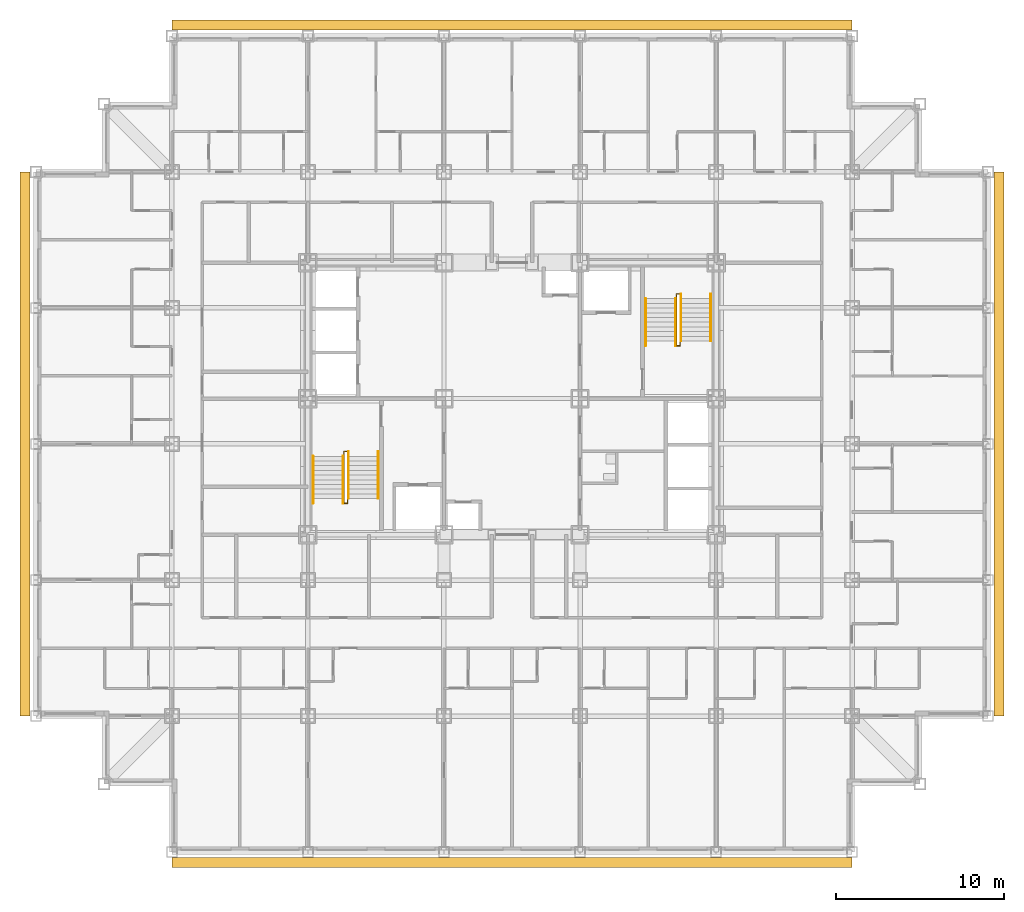
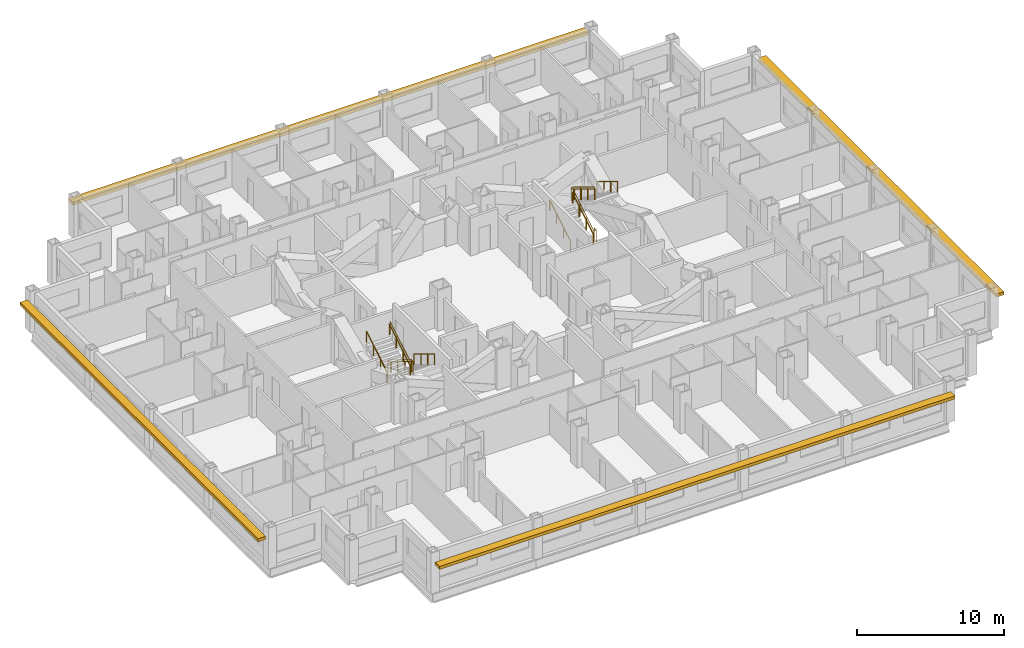
# One storey, part 13 of 14: 10 railings, 4 shading devices.
"""IFC4 building model written with IfcOpenShell, lengths in metres."""

from ifc_helpers import new_model, si_unit, direction, frame, origin, origin_2d, place, context, subcontext, project, spatial, rectangle, circle, extrude, material, type_object, element, save


model = new_model("IFC4")

# Units and contexts
model_context = context("Model", 3, precision=1e-05, world=origin(), true_north=direction((0.0, 1.0)))
body_context = subcontext(model_context, "Body", "Model", "MODEL_VIEW")
ifc_project = project(units=[si_unit("LENGTHUNIT", "METRE"), si_unit("AREAUNIT", "SQUARE_METRE"), si_unit("VOLUMEUNIT", "CUBIC_METRE"), si_unit("PLANEANGLEUNIT", "RADIAN"), si_unit("MASSUNIT", "GRAM", prefix="KILO")], contexts=[model_context])

# Site, building, storey
site_placement = place(None, origin())
site = spatial("IfcSite", under=ifc_project, at=site_placement, CompositionType="ELEMENT")
building_placement = place(site_placement, origin())
building = spatial("IfcBuilding", under=site, at=building_placement, Name="Kopane Lantern Tower", CompositionType="ELEMENT")
storey_placement = place(building_placement, frame((0.0, 0.0, 151.0)))
storey = spatial("IfcBuildingStorey", under=building, at=storey_placement, Name="L39", CompositionType="ELEMENT", Elevation=151.0)

# Railings
ifc_material_1 = material(Name="Steel", Category="steel")
railing_type_1 = type_object("IfcRailingType", Name="STAIR GUARD 1100", PredefinedType="GUARDRAIL", material=ifc_material_1)
railing_1_placement = place(storey_placement, frame((18.35009765625, 28.969970703125, 0.0)))
element("IfcRailing", 1, at=railing_1_placement, inside=storey, type_object=railing_type_1, Name="ST1 well guard L39", PredefinedType="GUARDRAIL", context=body_context, shape_type="SweptSolid", body=[
    extrude(circle(Radius=0.02392578125, at=origin_2d()), frame((0.0, 0.0, 1.076171875), z_axis=(0.0, 1.0, 0.0), x_axis=(-1.0, 0.0, 0.0)), (0.0, 0.0, 1.0), 0.280029296875),
    extrude(circle(Radius=0.02392578125, at=origin_2d()), frame((0.0, 0.280029296875, 1.076171875), z_axis=(1.0, 0.0, 0.0), x_axis=(0.0, 1.0, 0.0)), (0.0, 0.0, 1.0), 0.199951171875),
    extrude(circle(Radius=0.02392578125, at=origin_2d()), frame((0.199951171875, 0.280029296875, 1.076171875), z_axis=(0.0, -0.854798142509, 0.518960630071), x_axis=(1.0, 0.0, 0.0)), (0.0, 0.0, 1.0), 3.275634765625),
    extrude(circle(Radius=0.02392578125, at=origin_2d()), frame((0.199951171875, -2.52001953125, 2.77587890625), z_axis=(0.0, -1.0, 0.0), x_axis=(1.0, 0.0, 0.0)), (0.0, 0.0, 1.0), 0.280029296875),
    extrude(circle(Radius=0.02392578125, at=origin_2d()), frame((0.199951171875, -2.800048828125, 2.77587890625), z_axis=(-1.0, 0.0, 0.0), x_axis=(0.0, -1.0, 0.0)), (0.0, 0.0, 1.0), 0.199951171875),
    extrude(circle(Radius=0.02392578125, at=origin_2d()), frame((0.0, -2.800048828125, 2.77587890625), z_axis=(0.0, 0.854798142509, 0.518960630071), x_axis=(-1.0, 0.0, 0.0)), (0.0, 0.0, 1.0), 3.275634765625),
    extrude(circle(Radius=0.02099609375, at=origin_2d()), origin(), (0.0, 0.0, 1.0), 1.052001953125),
    extrude(circle(Radius=0.02099609375, at=origin_2d()), frame((0.0, 0.280029296875, 0.0)), (0.0, 0.0, 1.0), 1.052001953125),
    extrude(circle(Radius=0.02099609375, at=origin_2d()), frame((0.199951171875, 0.280029296875, 0.0)), (0.0, 0.0, 1.0), 1.052001953125),
    extrude(circle(Radius=0.02099609375, at=origin_2d()), frame((0.199951171875, -0.6533203125, 0.566650390625)), (0.0, 0.0, 1.0), 1.052001953125),
    extrude(circle(Radius=0.02099609375, at=origin_2d()), frame((0.199951171875, -1.586669921875, 1.13330078125)), (0.0, 0.0, 1.0), 1.052001953125),
    extrude(circle(Radius=0.02099609375, at=origin_2d()), frame((0.199951171875, -2.52001953125, 1.699951171875)), (0.0, 0.0, 1.0), 1.052001953125),
    extrude(circle(Radius=0.02099609375, at=origin_2d()), frame((0.199951171875, -2.800048828125, 1.699951171875)), (0.0, 0.0, 1.0), 1.052001953125),
    extrude(circle(Radius=0.02099609375, at=origin_2d()), frame((0.0, -2.800048828125, 1.699951171875)), (0.0, 0.0, 1.0), 1.052001953125),
    extrude(circle(Radius=0.02099609375, at=origin_2d()), frame((0.0, -1.86669921875, 2.2666015625)), (0.0, 0.0, 1.0), 1.052001953125),
    extrude(circle(Radius=0.02099609375, at=origin_2d()), frame((0.0, -0.933349609375, 2.833251953125)), (0.0, 0.0, 1.0), 1.052001953125),
    extrude(circle(Radius=0.02099609375, at=origin_2d()), frame((0.0, 0.0, 3.39990234375)), (0.0, 0.0, 1.0), 1.052001953125),
])
railing_2_placement = place(storey_placement, frame((38.35009765625, 35.830078125, 0.0)))
element("IfcRailing", 2, at=railing_2_placement, inside=storey, type_object=railing_type_1, Name="ST2 well guard L39", PredefinedType="GUARDRAIL", context=body_context, shape_type="SweptSolid", body=[
    extrude(circle(Radius=0.02392578125, at=origin_2d()), frame((0.0, 0.0, 1.076171875), z_axis=(0.0, -1.0, 0.0), x_axis=(1.0, 0.0, 0.0)), (0.0, 0.0, 1.0), 0.280029296875),
    extrude(circle(Radius=0.02392578125, at=origin_2d()), frame((0.0, -0.280029296875, 1.076171875), z_axis=(-1.0, 0.0, 0.0), x_axis=(0.0, -1.0, 0.0)), (0.0, 0.0, 1.0), 0.2001953125),
    extrude(circle(Radius=0.02392578125, at=origin_2d()), frame((-0.2001953125, -0.280029296875, 1.076171875), z_axis=(0.0, 0.854798142509, 0.518960630071), x_axis=(-1.0, 0.0, 0.0)), (0.0, 0.0, 1.0), 3.275634765625),
    extrude(circle(Radius=0.02392578125, at=origin_2d()), frame((-0.2001953125, 2.52001953125, 2.77587890625), z_axis=(0.0, 1.0, 0.0), x_axis=(-1.0, 0.0, 0.0)), (0.0, 0.0, 1.0), 0.27978515625),
    extrude(circle(Radius=0.02392578125, at=origin_2d()), frame((-0.2001953125, 2.7998046875, 2.77587890625), z_axis=(1.0, 0.0, 0.0), x_axis=(0.0, 1.0, 0.0)), (0.0, 0.0, 1.0), 0.2001953125),
    extrude(circle(Radius=0.02392578125, at=origin_2d()), frame((0.0, 2.7998046875, 2.77587890625), z_axis=(0.0, -0.854778067842, 0.518993694313), x_axis=(1.0, 0.0, 0.0)), (0.0, 0.0, 1.0), 3.275390625),
    extrude(circle(Radius=0.02099609375, at=origin_2d()), origin(), (0.0, 0.0, 1.0), 1.052001953125),
    extrude(circle(Radius=0.02099609375, at=origin_2d()), frame((0.0, -0.280029296875, 0.0)), (0.0, 0.0, 1.0), 1.052001953125),
    extrude(circle(Radius=0.02099609375, at=origin_2d()), frame((-0.2001953125, -0.280029296875, 0.0)), (0.0, 0.0, 1.0), 1.052001953125),
    extrude(circle(Radius=0.02099609375, at=origin_2d()), frame((-0.2001953125, 0.6533203125, 0.566650390625)), (0.0, 0.0, 1.0), 1.052001953125),
    extrude(circle(Radius=0.02099609375, at=origin_2d()), frame((-0.2001953125, 1.586669921875, 1.13330078125)), (0.0, 0.0, 1.0), 1.052001953125),
    extrude(circle(Radius=0.02099609375, at=origin_2d()), frame((-0.2001953125, 2.52001953125, 1.699951171875)), (0.0, 0.0, 1.0), 1.052001953125),
    extrude(circle(Radius=0.02099609375, at=origin_2d()), frame((-0.2001953125, 2.7998046875, 1.699951171875)), (0.0, 0.0, 1.0), 1.052001953125),
    extrude(circle(Radius=0.02099609375, at=origin_2d()), frame((0.0, 2.7998046875, 1.699951171875)), (0.0, 0.0, 1.0), 1.052001953125),
    extrude(circle(Radius=0.02099609375, at=origin_2d()), frame((0.0, 1.866455078125, 2.2666015625)), (0.0, 0.0, 1.0), 1.052001953125),
    extrude(circle(Radius=0.02099609375, at=origin_2d()), frame((0.0, 0.933349609375, 2.833251953125)), (0.0, 0.0, 1.0), 1.052001953125),
    extrude(circle(Radius=0.02099609375, at=origin_2d()), frame((0.0, 0.0, 3.39990234375)), (0.0, 0.0, 1.0), 1.052001953125),
])
ifc_material_2 = material(Name="Steel", Category="steel")
railing_type_2 = type_object("IfcRailingType", Name="STAIR HANDRAIL 900", PredefinedType="HANDRAIL", material=ifc_material_2)
for number, where, name in (
    (3, (20.389892578125, 29.25, 0.0), "ST1 handrail L39 flight 1"),
    (4, (18.610107421875, 29.25, 0.0), "ST1 handrail L39 flight 1"),
):
    element("IfcRailing", number, at=place(storey_placement, frame(where)), inside=storey, type_object=railing_type_2, Name=name, PredefinedType="HANDRAIL", context=body_context, shape_type="SweptSolid", body=[
        extrude(circle(Radius=0.02392578125, at=origin_2d()), frame((0.0, 0.0, 0.8759765625), z_axis=(0.0, -0.854798142509, 0.518960630071), x_axis=(1.0, 0.0, 0.0)), (0.0, 0.0, 1.0), 3.275634765625),
        extrude(circle(Radius=0.02099609375, at=origin_2d()), origin(), (0.0, 0.0, 1.0), 0.851806640625),
        extrude(circle(Radius=0.02099609375, at=origin_2d()), frame((0.0, -0.933349609375, 0.566650390625)), (0.0, 0.0, 1.0), 0.851806640625),
        extrude(circle(Radius=0.02099609375, at=origin_2d()), frame((0.0, -1.86669921875, 1.13330078125)), (0.0, 0.0, 1.0), 0.851806640625),
        extrude(circle(Radius=0.02099609375, at=origin_2d()), frame((0.0, -2.800048828125, 1.699951171875)), (0.0, 0.0, 1.0), 0.851806640625),
    ])
for number, where, name in (
    (5, (16.510009765625, 26.169921875, 1.699951171875), "ST1 handrail L39 flight 2"),
    (6, (18.2900390625, 26.169921875, 1.699951171875), "ST1 handrail L39 flight 2"),
    (7, (36.31005859375, 35.550048828125, 0.0), "ST2 handrail L39 flight 1"),
    (8, (38.090087890625, 35.550048828125, 0.0), "ST2 handrail L39 flight 1"),
):
    element("IfcRailing", number, at=place(storey_placement, frame(where)), inside=storey, type_object=railing_type_2, Name=name, PredefinedType="HANDRAIL", context=body_context, shape_type="SweptSolid", body=[
        extrude(circle(Radius=0.02392578125, at=origin_2d()), frame((0.0, 0.0, 0.8759765625), z_axis=(0.0, 0.854798142509, 0.518960630071), x_axis=(-1.0, 0.0, 0.0)), (0.0, 0.0, 1.0), 3.275634765625),
        extrude(circle(Radius=0.02099609375, at=origin_2d()), origin(), (0.0, 0.0, 1.0), 0.851806640625),
        extrude(circle(Radius=0.02099609375, at=origin_2d()), frame((0.0, 0.933349609375, 0.566650390625)), (0.0, 0.0, 1.0), 0.851806640625),
        extrude(circle(Radius=0.02099609375, at=origin_2d()), frame((0.0, 1.86669921875, 1.13330078125)), (0.0, 0.0, 1.0), 0.851806640625),
        extrude(circle(Radius=0.02099609375, at=origin_2d()), frame((0.0, 2.800048828125, 1.699951171875)), (0.0, 0.0, 1.0), 0.851806640625),
    ])
for number, where, name in (
    (9, (40.18994140625, 38.6298828125, 1.699951171875), "ST2 handrail L39 flight 2"),
    (10, (38.409912109375, 38.6298828125, 1.699951171875), "ST2 handrail L39 flight 2"),
):
    element("IfcRailing", number, at=place(storey_placement, frame(where)), inside=storey, type_object=railing_type_2, Name=name, PredefinedType="HANDRAIL", context=body_context, shape_type="SweptSolid", body=[
        extrude(circle(Radius=0.02392578125, at=origin_2d()), frame((0.0, 0.0, 0.8759765625), z_axis=(0.0, -0.854778067842, 0.518993694313), x_axis=(1.0, 0.0, 0.0)), (0.0, 0.0, 1.0), 3.275390625),
        extrude(circle(Radius=0.02099609375, at=origin_2d()), origin(), (0.0, 0.0, 1.0), 0.851806640625),
        extrude(circle(Radius=0.02099609375, at=origin_2d()), frame((0.0, -0.933349609375, 0.566650390625)), (0.0, 0.0, 1.0), 0.851806640625),
        extrude(circle(Radius=0.02099609375, at=origin_2d()), frame((0.0, -1.866455078125, 1.13330078125)), (0.0, 0.0, 1.0), 0.851806640625),
        extrude(circle(Radius=0.02099609375, at=origin_2d()), frame((0.0, -2.7998046875, 1.699951171875)), (0.0, 0.0, 1.0), 0.851806640625),
    ])

# Shading devices
ifc_material_3 = material(Name="Terracotta rainscreen on light steel framing", Category="masonry")
shading_device_type = type_object("IfcShadingDeviceType", Name="SUNSHADE BAND SB1 600 TERRACOTTA", PredefinedType="USERDEFINED", material=ifc_material_3)
shading_device_1_placement = place(storey_placement, frame((28.35009765625, 4.77490234375, 2.300048828125), z_axis=(0.0, 0.0, 1.0), x_axis=(1.0, 0.0, 0.0)))
element("IfcShadingDevice", 11, at=shading_device_1_placement, inside=storey, type_object=shading_device_type, Name="Sunshade band S L39", ObjectType="SUNSHADE BAND", PredefinedType="USERDEFINED", context=body_context, shape_type="SweptSolid", body=[
    extrude(rectangle(XDim=40.5, YDim=0.60009765625, at=origin_2d()), origin(), (0.0, 0.0, 1.0), 0.25),
])
shading_device_2_placement = place(storey_placement, frame((57.35009765625, 29.699951171875, 2.300048828125), z_axis=(0.0, 0.0, 1.0), x_axis=(0.0, 1.0, 0.0)))
element("IfcShadingDevice", 12, at=shading_device_2_placement, inside=storey, type_object=shading_device_type, Name="Sunshade band E L39", ObjectType="SUNSHADE BAND", PredefinedType="USERDEFINED", context=body_context, shape_type="SweptSolid", body=[
    extrude(rectangle(XDim=32.39990234375, YDim=0.60009765625, at=origin_2d()), origin(), (0.0, 0.0, 1.0), 0.25),
])
shading_device_3_placement = place(storey_placement, frame((28.35009765625, 54.64990234375, 2.300048828125), z_axis=(0.0, 0.0, 1.0), x_axis=(-1.0, 0.0, 0.0)))
element("IfcShadingDevice", 13, at=shading_device_3_placement, inside=storey, type_object=shading_device_type, Name="Sunshade band N L39", ObjectType="SUNSHADE BAND", PredefinedType="USERDEFINED", context=body_context, shape_type="SweptSolid", body=[
    extrude(rectangle(XDim=40.5, YDim=0.60009765625, at=origin_2d()), origin(), (0.0, 0.0, 1.0), 0.25),
])
shading_device_4_placement = place(storey_placement, frame((-0.64990234375, 29.699951171875, 2.300048828125), z_axis=(0.0, 0.0, 1.0), x_axis=(0.0, -1.0, 0.0)))
element("IfcShadingDevice", 14, at=shading_device_4_placement, inside=storey, type_object=shading_device_type, Name="Sunshade band W L39", ObjectType="SUNSHADE BAND", PredefinedType="USERDEFINED", context=body_context, shape_type="SweptSolid", body=[
    extrude(rectangle(XDim=32.39990234375, YDim=0.60009765625, at=origin_2d()), origin(), (0.0, 0.0, 1.0), 0.25),
])

save(model, "model.ifc")
